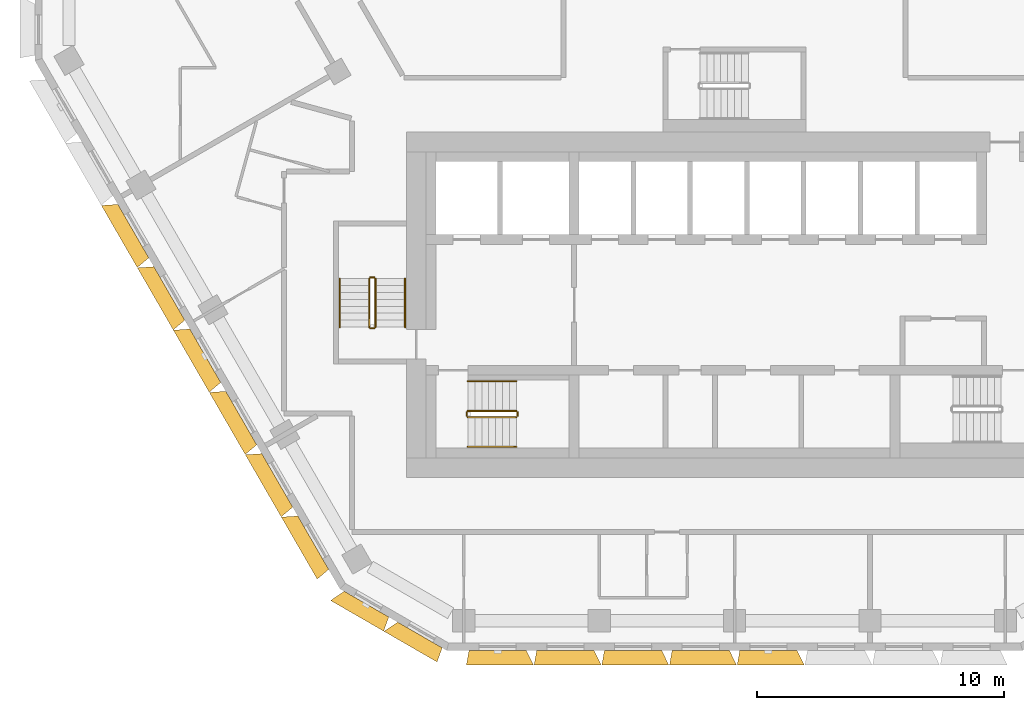
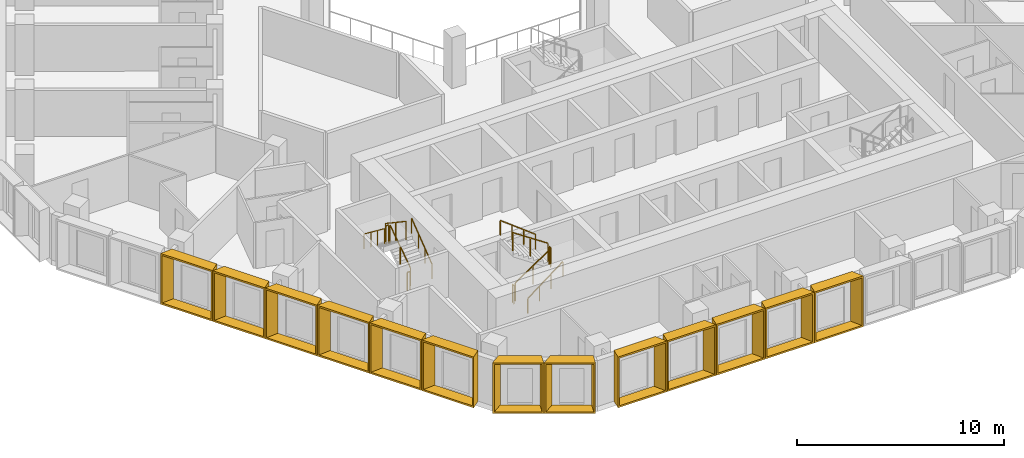
# One storey, part 14 of 17: 13 shading devices, 12 railings.
"""IFC4 building model written with IfcOpenShell, lengths in metres."""

from ifc_helpers import new_model, entity, si_unit, direction, frame, origin, origin_2d, place, context, subcontext, project, spatial, rectangle, extrude, source, transform, mapped, material, type_object, type_shapes, element, save


model = new_model("IFC4")

# Units and contexts
model_context = context("Model", 3, precision=1e-05, world=origin(), true_north=direction((0.0, 1.0)))
body_context = subcontext(model_context, "Body", "Model", "MODEL_VIEW")
ifc_project = project(units=[si_unit("LENGTHUNIT", "METRE"), si_unit("AREAUNIT", "SQUARE_METRE"), si_unit("VOLUMEUNIT", "CUBIC_METRE"), si_unit("PLANEANGLEUNIT", "RADIAN"), si_unit("MASSUNIT", "GRAM", prefix="KILO")], contexts=[model_context])

# Site, building, storey
site_placement = place(None, origin())
site = spatial("IfcSite", under=ifc_project, at=site_placement, CompositionType="ELEMENT")
building_placement = place(site_placement, origin())
building = spatial("IfcBuilding", under=site, at=building_placement, Name="Beryl Residences", CompositionType="ELEMENT")
storey_placement = place(building_placement, frame((0.0, 0.0, 132.60009765625)))
storey = spatial("IfcBuildingStorey", under=building, at=storey_placement, Name="L40", CompositionType="ELEMENT", Elevation=132.60009765625)

# Shading devices
ifc_material_1 = material(Name="Aluminium pale anodised", Category="aluminium")
shading_device_type_1 = type_object("IfcShadingDeviceType", Name="FR250-60B OUTER SKIN frame 600 mm deep, splay 26/10 deg, 2500 x 3000 mm cell", PredefinedType="USERDEFINED", material=ifc_material_1)
cartesian_point_1 = entity("IfcCartesianPoint", [-1.04052734375, 0.0])
cartesian_point_2 = entity("IfcCartesianPoint", [-0.951416015625, 0.10009765625])
cartesian_point_3 = entity("IfcCartesianPoint", [-1.333251953125, 0.0])
cartesian_point_4 = entity("IfcCartesianPoint", [-1.244140625, 0.10009765625])
shared_shape_1 = source(origin(), body_context, "Body", "SweptSolid", [
    entity("IfcExtrudedAreaSolidTapered", entity("IfcArbitraryProfileDefWithVoids", "AREA", None, entity("IfcPolyline", [cartesian_point_1, entity("IfcCartesianPoint", [1.04052734375, 0.0]), entity("IfcCartesianPoint", [1.04052734375, 3.0]), entity("IfcCartesianPoint", [-1.04052734375, 3.0]), cartesian_point_1]), [entity("IfcPolyline", [cartesian_point_2, entity("IfcCartesianPoint", [0.959228515625, 0.10009765625]), entity("IfcCartesianPoint", [0.959228515625, 2.89990234375]), entity("IfcCartesianPoint", [-0.951416015625, 2.89990234375]), cartesian_point_2])]), entity("IfcAxis2Placement3D", entity("IfcCartesianPoint", [0.0, 0.0, 0.0]), entity("IfcDirection", [0.0, 1.0, 0.0]), entity("IfcDirection", [-1.0, 0.0, 0.0])), entity("IfcDirection", [0.0, 0.0, 1.0]), 0.60009765625, entity("IfcArbitraryProfileDefWithVoids", "AREA", None, entity("IfcPolyline", [cartesian_point_3, entity("IfcCartesianPoint", [1.146240234375, 0.0]), entity("IfcCartesianPoint", [1.146240234375, 3.0]), entity("IfcCartesianPoint", [-1.333251953125, 3.0]), cartesian_point_3]), [entity("IfcPolyline", [cartesian_point_4, entity("IfcCartesianPoint", [1.06494140625, 0.10009765625]), entity("IfcCartesianPoint", [1.06494140625, 2.89990234375]), entity("IfcCartesianPoint", [-1.244140625, 2.89990234375]), cartesian_point_4])])),
])
type_shapes(shading_device_type_1, [shared_shape_1])
for number, where, z_axis, x_axis, name in (
    (1, (-14.909912109375, -24.125, 0.0), (0.0, 0.0, 1.0), (-0.866025403784, 0.5, 0.0), "FR250-60B frame L40 SW-S 1"),
    (2, (-12.7451171875, -25.375, 0.0), (0.0, 0.0, 1.0), (-0.866025403784, 0.5, 0.0), "FR250-60B frame L40 SW-S 2"),
):
    element("IfcShadingDevice", number, at=place(storey_placement, frame(where, z_axis=z_axis, x_axis=x_axis)), inside=storey, type_object=shading_device_type_1, Name=name, ObjectType="OUTER SKIN", PredefinedType="USERDEFINED", context=body_context, shape_type="MappedRepresentation", body=[
        mapped(shared_shape_1, transform((0.0, 0.0, 0.0))),
    ])
ifc_material_2 = material(Name="Aluminium pale anodised", Category="aluminium")
shading_device_type_2 = type_object("IfcShadingDeviceType", Name="FR274-60C OUTER SKIN frame 600 mm deep, splay 10/26 deg, 2740 x 3000 mm cell", PredefinedType="USERDEFINED", material=ifc_material_2)
cartesian_point_5 = entity("IfcCartesianPoint", [-1.160400390625, 0.0])
cartesian_point_6 = entity("IfcCartesianPoint", [-1.079345703125, 0.10009765625])
cartesian_point_7 = entity("IfcCartesianPoint", [-1.266357421875, 0.0])
cartesian_point_8 = entity("IfcCartesianPoint", [-1.18505859375, 0.10009765625])
shared_shape_2 = source(origin(), body_context, "Body", "SweptSolid", [
    entity("IfcExtrudedAreaSolidTapered", entity("IfcArbitraryProfileDefWithVoids", "AREA", None, entity("IfcPolyline", [cartesian_point_5, entity("IfcCartesianPoint", [1.160400390625, 0.0]), entity("IfcCartesianPoint", [1.160400390625, 3.0]), entity("IfcCartesianPoint", [-1.160400390625, 3.0]), cartesian_point_5]), [entity("IfcPolyline", [cartesian_point_6, entity("IfcCartesianPoint", [1.071533203125, 0.10009765625]), entity("IfcCartesianPoint", [1.071533203125, 2.89990234375]), entity("IfcCartesianPoint", [-1.079345703125, 2.89990234375]), cartesian_point_6])]), entity("IfcAxis2Placement3D", entity("IfcCartesianPoint", [0.0, 0.0, 0.0]), entity("IfcDirection", [0.0, 1.0, 0.0]), entity("IfcDirection", [-1.0, 0.0, 0.0])), entity("IfcDirection", [0.0, 0.0, 1.0]), 0.60009765625, entity("IfcArbitraryProfileDefWithVoids", "AREA", None, entity("IfcPolyline", [cartesian_point_7, entity("IfcCartesianPoint", [1.453125, 0.0]), entity("IfcCartesianPoint", [1.453125, 3.0]), entity("IfcCartesianPoint", [-1.266357421875, 3.0]), cartesian_point_7]), [entity("IfcPolyline", [cartesian_point_8, entity("IfcCartesianPoint", [1.364013671875, 0.10009765625]), entity("IfcCartesianPoint", [1.364013671875, 2.89990234375]), entity("IfcCartesianPoint", [-1.18505859375, 2.89990234375]), cartesian_point_8])])),
])
type_shapes(shading_device_type_2, [shared_shape_2])
for number, where, z_axis, x_axis, name in (
    (3, (-9.597900390625, -26.0, 0.0), (0.0, 0.0, 1.0), (-1.0, 0.0, 0.0), "FR274-60C frame L40 S 1"),
    (4, (-6.85498046875, -26.0, 0.0), (0.0, 0.0, 1.0), (-1.0, 0.0, 0.0), "FR274-60C frame L40 S 2"),
    (5, (-4.113037109375, -26.0, 0.0), (0.0, 0.0, 1.0), (-1.0, 0.0, 0.0), "FR274-60C frame L40 S 3"),
    (6, (-1.3701171875, -26.0, 0.0), (0.0, 0.0, 1.0), (-1.0, 0.0, 0.0), "FR274-60C frame L40 S 4"),
    (7, (1.3720703125, -26.0, 0.0), (0.0, 0.0, 1.0), (-1.0, 0.0, 0.0), "FR274-60C frame L40 S 5"),
):
    element("IfcShadingDevice", number, at=place(storey_placement, frame(where, z_axis=z_axis, x_axis=x_axis)), inside=storey, type_object=shading_device_type_2, Name=name, ObjectType="OUTER SKIN", PredefinedType="USERDEFINED", context=body_context, shape_type="MappedRepresentation", body=[
        mapped(shared_shape_2, transform((0.0, 0.0, 0.0))),
    ])
ifc_material_3 = material(Name="Aluminium pale anodised", Category="aluminium")
shading_device_type_3 = type_object("IfcShadingDeviceType", Name="FR292-60B OUTER SKIN frame 600 mm deep, splay 26/10 deg, 2920 x 3000 mm cell", PredefinedType="USERDEFINED", material=ifc_material_3)
cartesian_point_9 = entity("IfcCartesianPoint", [-1.25048828125, 0.0])
cartesian_point_10 = entity("IfcCartesianPoint", [-1.161376953125, 0.10009765625])
cartesian_point_11 = entity("IfcCartesianPoint", [-1.543212890625, 0.0])
cartesian_point_12 = entity("IfcCartesianPoint", [-1.4541015625, 0.10009765625])
shared_shape_3 = source(origin(), body_context, "Body", "SweptSolid", [
    entity("IfcExtrudedAreaSolidTapered", entity("IfcArbitraryProfileDefWithVoids", "AREA", None, entity("IfcPolyline", [cartesian_point_9, entity("IfcCartesianPoint", [1.25048828125, 0.0]), entity("IfcCartesianPoint", [1.25048828125, 3.0]), entity("IfcCartesianPoint", [-1.25048828125, 3.0]), cartesian_point_9]), [entity("IfcPolyline", [cartesian_point_10, entity("IfcCartesianPoint", [1.169189453125, 0.10009765625]), entity("IfcCartesianPoint", [1.169189453125, 2.89990234375]), entity("IfcCartesianPoint", [-1.161376953125, 2.89990234375]), cartesian_point_10])]), entity("IfcAxis2Placement3D", entity("IfcCartesianPoint", [0.0, 0.0, 0.0]), entity("IfcDirection", [0.0, 1.0, 0.0]), entity("IfcDirection", [-1.0, 0.0, 0.0])), entity("IfcDirection", [0.0, 0.0, 1.0]), 0.60009765625, entity("IfcArbitraryProfileDefWithVoids", "AREA", None, entity("IfcPolyline", [cartesian_point_11, entity("IfcCartesianPoint", [1.356201171875, 0.0]), entity("IfcCartesianPoint", [1.356201171875, 3.0]), entity("IfcCartesianPoint", [-1.543212890625, 3.0]), cartesian_point_11]), [entity("IfcPolyline", [cartesian_point_12, entity("IfcCartesianPoint", [1.275146484375, 0.10009765625]), entity("IfcCartesianPoint", [1.275146484375, 2.89990234375]), entity("IfcCartesianPoint", [-1.4541015625, 2.89990234375]), cartesian_point_12])])),
])
type_shapes(shading_device_type_3, [shared_shape_3])
for number, where, z_axis, x_axis, name in (
    (8, (-24.35693359375, -9.011962890625, 0.0), (0.0, 0.0, 1.0), (-0.5, 0.866025403784, 0.0), "FR292-60B frame L40 SW 3"),
    (9, (-22.89892578125, -11.537109375, 0.0), (0.0, 0.0, 1.0), (-0.5, 0.866025403784, 0.0), "FR292-60B frame L40 SW 4"),
    (10, (-21.44189453125, -14.06201171875, 0.0), (0.0, 0.0, 1.0), (-0.5, 0.866025403784, 0.0), "FR292-60B frame L40 SW 5"),
    (11, (-19.98388671875, -16.5859375, 0.0), (0.0, 0.0, 1.0), (-0.5, 0.866025403784, 0.0), "FR292-60B frame L40 SW 6"),
    (12, (-18.52587890625, -19.111083984375, 0.0), (0.0, 0.0, 1.0), (-0.5, 0.866025403784, 0.0), "FR292-60B frame L40 SW 7"),
    (13, (-17.068115234375, -21.635986328125, 0.0), (0.0, 0.0, 1.0), (-0.5, 0.866025403784, 0.0), "FR292-60B frame L40 SW 8"),
):
    element("IfcShadingDevice", number, at=place(storey_placement, frame(where, z_axis=z_axis, x_axis=x_axis)), inside=storey, type_object=shading_device_type_3, Name=name, ObjectType="OUTER SKIN", PredefinedType="USERDEFINED", context=body_context, shape_type="MappedRepresentation", body=[
        mapped(shared_shape_3, transform((0.0, 0.0, 0.0))),
    ])

# Railings
ifc_material_4 = material(Name="Stainless steel balustrade with glass infill", Category="steel")
railing_type_1 = type_object("IfcRailingType", Name="SG1 stair guard 1100 mm", PredefinedType="GUARDRAIL", material=ifc_material_4)
railing_1_placement = place(storey_placement, frame((-10.800048828125, -16.550048828125, 0.1875)))
element("IfcRailing", 14, at=railing_1_placement, inside=storey, type_object=railing_type_1, Name="L40 ST-1 stair guard 1", PredefinedType="GUARDRAIL", context=body_context, shape_type="SweptSolid", body=[
    extrude(rectangle(XDim=0.048095703125, YDim=0.048095703125, at=origin_2d()), frame((0.0, 0.0, 1.076171875), z_axis=(0.830902050051, 0.0, 0.556418712142), x_axis=(0.0, 1.0, 0.0)), (0.0, 0.0, 1.0), 2.35888671875),
    extrude(rectangle(XDim=0.0419921875, YDim=0.0419921875, at=origin_2d()), origin(), (0.0, 0.0, 1.0), 1.052001953125),
    extrude(rectangle(XDim=0.0419921875, YDim=0.0419921875, at=origin_2d()), frame((0.97998046875, 0.0, 0.65625)), (0.0, 0.0, 1.0), 1.052001953125),
    extrude(rectangle(XDim=0.0419921875, YDim=0.0419921875, at=origin_2d()), frame((1.9599609375, 0.0, 1.3125)), (0.0, 0.0, 1.0), 1.052001953125),
])
railing_2_placement = place(storey_placement, frame((-8.7900390625, -16.5, 1.5)))
element("IfcRailing", 15, at=railing_2_placement, inside=storey, type_object=railing_type_1, Name="L40 ST-1 stair guard 2", PredefinedType="GUARDRAIL", context=body_context, shape_type="SweptSolid", body=[
    extrude(rectangle(XDim=0.048095703125, YDim=0.048095703125, at=origin_2d()), frame((0.0, 0.0, 1.076171875), z_axis=(0.0, 1.0, 0.0), x_axis=(-1.0, 0.0, 0.0)), (0.0, 0.0, 1.0), 0.14990234375),
    extrude(rectangle(XDim=0.0419921875, YDim=0.0419921875, at=origin_2d()), origin(), (0.0, 0.0, 1.0), 1.052001953125),
    extrude(rectangle(XDim=0.0419921875, YDim=0.0419921875, at=origin_2d()), frame((0.0, 0.14990234375, 0.0)), (0.0, 0.0, 1.0), 1.052001953125),
])
railing_3_placement = place(storey_placement, frame((-8.840087890625, -16.300048828125, 1.6875)))
element("IfcRailing", 16, at=railing_3_placement, inside=storey, type_object=railing_type_1, Name="L40 ST-1 stair guard 3", PredefinedType="GUARDRAIL", context=body_context, shape_type="SweptSolid", body=[
    extrude(rectangle(XDim=0.048095703125, YDim=0.048095703125, at=origin_2d()), frame((0.0, 0.0, 1.076171875), z_axis=(-0.830902050051, 0.0, 0.556418712142), x_axis=(0.0, -1.0, 0.0)), (0.0, 0.0, 1.0), 2.35888671875),
    extrude(rectangle(XDim=0.0419921875, YDim=0.0419921875, at=origin_2d()), origin(), (0.0, 0.0, 1.0), 1.052001953125),
    extrude(rectangle(XDim=0.0419921875, YDim=0.0419921875, at=origin_2d()), frame((-0.97998046875, 0.0, 0.65625)), (0.0, 0.0, 1.0), 1.052001953125),
    extrude(rectangle(XDim=0.0419921875, YDim=0.0419921875, at=origin_2d()), frame((-1.9599609375, 0.0, 1.3125)), (0.0, 0.0, 1.0), 1.052001953125),
])
railing_4_placement = place(storey_placement, frame((-10.85009765625, -16.5, 0.0)))
element("IfcRailing", 17, at=railing_4_placement, inside=storey, type_object=railing_type_1, Name="L40 ST-1 stair guard 4", PredefinedType="GUARDRAIL", context=body_context, shape_type="SweptSolid", body=[
    extrude(rectangle(XDim=0.048095703125, YDim=0.048095703125, at=origin_2d()), frame((0.0, 0.0, 1.076171875), z_axis=(0.0, 1.0, 0.0), x_axis=(-1.0, 0.0, 0.0)), (0.0, 0.0, 1.0), 0.14990234375),
    extrude(rectangle(XDim=0.0419921875, YDim=0.0419921875, at=origin_2d()), origin(), (0.0, 0.0, 1.0), 1.052001953125),
    extrude(rectangle(XDim=0.0419921875, YDim=0.0419921875, at=origin_2d()), frame((0.0, 0.14990234375, 0.0)), (0.0, 0.0, 1.0), 1.052001953125),
])
railing_5_placement = place(storey_placement, frame((-14.550048828125, -12.89990234375, 0.1875)))
element("IfcRailing", 18, at=railing_5_placement, inside=storey, type_object=railing_type_1, Name="L40 ST-2 stair guard 1", PredefinedType="GUARDRAIL", context=body_context, shape_type="SweptSolid", body=[
    extrude(rectangle(XDim=0.048095703125, YDim=0.048095703125, at=origin_2d()), frame((0.0, 0.0, 1.076171875), z_axis=(0.0, 0.830902050051, 0.556418712142), x_axis=(-1.0, 0.0, 0.0)), (0.0, 0.0, 1.0), 2.35888671875),
    extrude(rectangle(XDim=0.0419921875, YDim=0.0419921875, at=origin_2d()), origin(), (0.0, 0.0, 1.0), 1.052001953125),
    extrude(rectangle(XDim=0.0419921875, YDim=0.0419921875, at=origin_2d()), frame((0.0, 0.97998046875, 0.65625)), (0.0, 0.0, 1.0), 1.052001953125),
    extrude(rectangle(XDim=0.0419921875, YDim=0.0419921875, at=origin_2d()), frame((0.0, 1.9599609375, 1.3125)), (0.0, 0.0, 1.0), 1.052001953125),
])
railing_6_placement = place(storey_placement, frame((-14.60009765625, -10.889892578125, 1.5)))
element("IfcRailing", 19, at=railing_6_placement, inside=storey, type_object=railing_type_1, Name="L40 ST-2 stair guard 2", PredefinedType="GUARDRAIL", context=body_context, shape_type="SweptSolid", body=[
    extrude(rectangle(XDim=0.048095703125, YDim=0.048095703125, at=origin_2d()), frame((0.0, 0.0, 1.076171875), z_axis=(-1.0, 0.0, 0.0), x_axis=(0.0, -1.0, 0.0)), (0.0, 0.0, 1.0), 0.14990234375),
    extrude(rectangle(XDim=0.0419921875, YDim=0.0419921875, at=origin_2d()), origin(), (0.0, 0.0, 1.0), 1.052001953125),
    extrude(rectangle(XDim=0.0419921875, YDim=0.0419921875, at=origin_2d()), frame((-0.14990234375, 0.0, 0.0)), (0.0, 0.0, 1.0), 1.052001953125),
])
railing_7_placement = place(storey_placement, frame((-14.800048828125, -10.93994140625, 1.6875)))
element("IfcRailing", 20, at=railing_7_placement, inside=storey, type_object=railing_type_1, Name="L40 ST-2 stair guard 3", PredefinedType="GUARDRAIL", context=body_context, shape_type="SweptSolid", body=[
    extrude(rectangle(XDim=0.048095703125, YDim=0.048095703125, at=origin_2d()), frame((0.0, 0.0, 1.076171875), z_axis=(0.0, -0.830902050051, 0.556418712142), x_axis=(1.0, 0.0, 0.0)), (0.0, 0.0, 1.0), 2.35888671875),
    extrude(rectangle(XDim=0.0419921875, YDim=0.0419921875, at=origin_2d()), origin(), (0.0, 0.0, 1.0), 1.052001953125),
    extrude(rectangle(XDim=0.0419921875, YDim=0.0419921875, at=origin_2d()), frame((0.0, -0.97998046875, 0.65625)), (0.0, 0.0, 1.0), 1.052001953125),
    extrude(rectangle(XDim=0.0419921875, YDim=0.0419921875, at=origin_2d()), frame((0.0, -1.9599609375, 1.3125)), (0.0, 0.0, 1.0), 1.052001953125),
])
railing_8_placement = place(storey_placement, frame((-14.60009765625, -12.949951171875, 0.0)))
element("IfcRailing", 21, at=railing_8_placement, inside=storey, type_object=railing_type_1, Name="L40 ST-2 stair guard 4", PredefinedType="GUARDRAIL", context=body_context, shape_type="SweptSolid", body=[
    extrude(rectangle(XDim=0.048095703125, YDim=0.048095703125, at=origin_2d()), frame((0.0, 0.0, 1.076171875), z_axis=(-1.0, 0.0, 0.0), x_axis=(0.0, -1.0, 0.0)), (0.0, 0.0, 1.0), 0.14990234375),
    extrude(rectangle(XDim=0.0419921875, YDim=0.0419921875, at=origin_2d()), origin(), (0.0, 0.0, 1.0), 1.052001953125),
    extrude(rectangle(XDim=0.0419921875, YDim=0.0419921875, at=origin_2d()), frame((-0.14990234375, 0.0, 0.0)), (0.0, 0.0, 1.0), 1.052001953125),
])
ifc_material_5 = material(Name="Stainless steel handrail", Category="steel")
railing_type_2 = type_object("IfcRailingType", Name="SRL1 stair handrail 900 mm", PredefinedType="HANDRAIL", material=ifc_material_5)
railing_9_placement = place(storey_placement, frame((-10.800048828125, -17.75, 0.1875)))
element("IfcRailing", 22, at=railing_9_placement, inside=storey, type_object=railing_type_2, Name="L40 ST-1 stair handrail 1", PredefinedType="HANDRAIL", context=body_context, shape_type="SweptSolid", body=[
    extrude(rectangle(XDim=0.048095703125, YDim=0.048095703125, at=origin_2d()), frame((0.0, 0.0, 0.8759765625), z_axis=(0.794121922505, 0.0, 0.607758481798), x_axis=(0.0, 1.0, 0.0)), (0.0, 0.0, 1.0), 2.468017578125),
    extrude(rectangle(XDim=0.0419921875, YDim=0.0419921875, at=origin_2d()), origin(), (0.0, 0.0, 1.0), 0.851806640625),
    extrude(rectangle(XDim=0.0419921875, YDim=0.0419921875, at=origin_2d()), frame((0.6533203125, 0.0, 0.5)), (0.0, 0.0, 1.0), 0.851806640625),
    extrude(rectangle(XDim=0.0419921875, YDim=0.0419921875, at=origin_2d()), frame((1.306640625, 0.0, 1.0)), (0.0, 0.0, 1.0), 0.851806640625),
    extrude(rectangle(XDim=0.0419921875, YDim=0.0419921875, at=origin_2d()), frame((1.9599609375, 0.0, 1.5)), (0.0, 0.0, 1.0), 0.851806640625),
])
railing_10_placement = place(storey_placement, frame((-8.840087890625, -15.10009765625, 1.6875)))
element("IfcRailing", 23, at=railing_10_placement, inside=storey, type_object=railing_type_2, Name="L40 ST-1 stair handrail 2", PredefinedType="HANDRAIL", context=body_context, shape_type="SweptSolid", body=[
    extrude(rectangle(XDim=0.048095703125, YDim=0.048095703125, at=origin_2d()), frame((0.0, 0.0, 0.8759765625), z_axis=(-0.794121922505, 0.0, 0.607758481798), x_axis=(0.0, -1.0, 0.0)), (0.0, 0.0, 1.0), 2.468017578125),
    extrude(rectangle(XDim=0.0419921875, YDim=0.0419921875, at=origin_2d()), origin(), (0.0, 0.0, 1.0), 0.851806640625),
    extrude(rectangle(XDim=0.0419921875, YDim=0.0419921875, at=origin_2d()), frame((-0.6533203125, 0.0, 0.5)), (0.0, 0.0, 1.0), 0.851806640625),
    extrude(rectangle(XDim=0.0419921875, YDim=0.0419921875, at=origin_2d()), frame((-1.306640625, 0.0, 1.0)), (0.0, 0.0, 1.0), 0.851806640625),
    extrude(rectangle(XDim=0.0419921875, YDim=0.0419921875, at=origin_2d()), frame((-1.9599609375, 0.0, 1.5)), (0.0, 0.0, 1.0), 0.851806640625),
])
railing_11_placement = place(storey_placement, frame((-13.35009765625, -12.89990234375, 0.1875)))
element("IfcRailing", 24, at=railing_11_placement, inside=storey, type_object=railing_type_2, Name="L40 ST-2 stair handrail 1", PredefinedType="HANDRAIL", context=body_context, shape_type="SweptSolid", body=[
    extrude(rectangle(XDim=0.048095703125, YDim=0.048095703125, at=origin_2d()), frame((0.0, 0.0, 0.8759765625), z_axis=(0.0, 0.794121922505, 0.607758481798), x_axis=(-1.0, 0.0, 0.0)), (0.0, 0.0, 1.0), 2.468017578125),
    extrude(rectangle(XDim=0.0419921875, YDim=0.0419921875, at=origin_2d()), origin(), (0.0, 0.0, 1.0), 0.851806640625),
    extrude(rectangle(XDim=0.0419921875, YDim=0.0419921875, at=origin_2d()), frame((0.0, 0.6533203125, 0.5)), (0.0, 0.0, 1.0), 0.851806640625),
    extrude(rectangle(XDim=0.0419921875, YDim=0.0419921875, at=origin_2d()), frame((0.0, 1.306640625, 1.0)), (0.0, 0.0, 1.0), 0.851806640625),
    extrude(rectangle(XDim=0.0419921875, YDim=0.0419921875, at=origin_2d()), frame((0.0, 1.9599609375, 1.5)), (0.0, 0.0, 1.0), 0.851806640625),
])
railing_12_placement = place(storey_placement, frame((-16.0, -10.93994140625, 1.6875)))
element("IfcRailing", 25, at=railing_12_placement, inside=storey, type_object=railing_type_2, Name="L40 ST-2 stair handrail 2", PredefinedType="HANDRAIL", context=body_context, shape_type="SweptSolid", body=[
    extrude(rectangle(XDim=0.048095703125, YDim=0.048095703125, at=origin_2d()), frame((0.0, 0.0, 0.8759765625), z_axis=(0.0, -0.794121922505, 0.607758481798), x_axis=(1.0, 0.0, 0.0)), (0.0, 0.0, 1.0), 2.468017578125),
    extrude(rectangle(XDim=0.0419921875, YDim=0.0419921875, at=origin_2d()), origin(), (0.0, 0.0, 1.0), 0.851806640625),
    extrude(rectangle(XDim=0.0419921875, YDim=0.0419921875, at=origin_2d()), frame((0.0, -0.6533203125, 0.5)), (0.0, 0.0, 1.0), 0.851806640625),
    extrude(rectangle(XDim=0.0419921875, YDim=0.0419921875, at=origin_2d()), frame((0.0, -1.306640625, 1.0)), (0.0, 0.0, 1.0), 0.851806640625),
    extrude(rectangle(XDim=0.0419921875, YDim=0.0419921875, at=origin_2d()), frame((0.0, -1.9599609375, 1.5)), (0.0, 0.0, 1.0), 0.851806640625),
])

save(model, "model.ifc")
